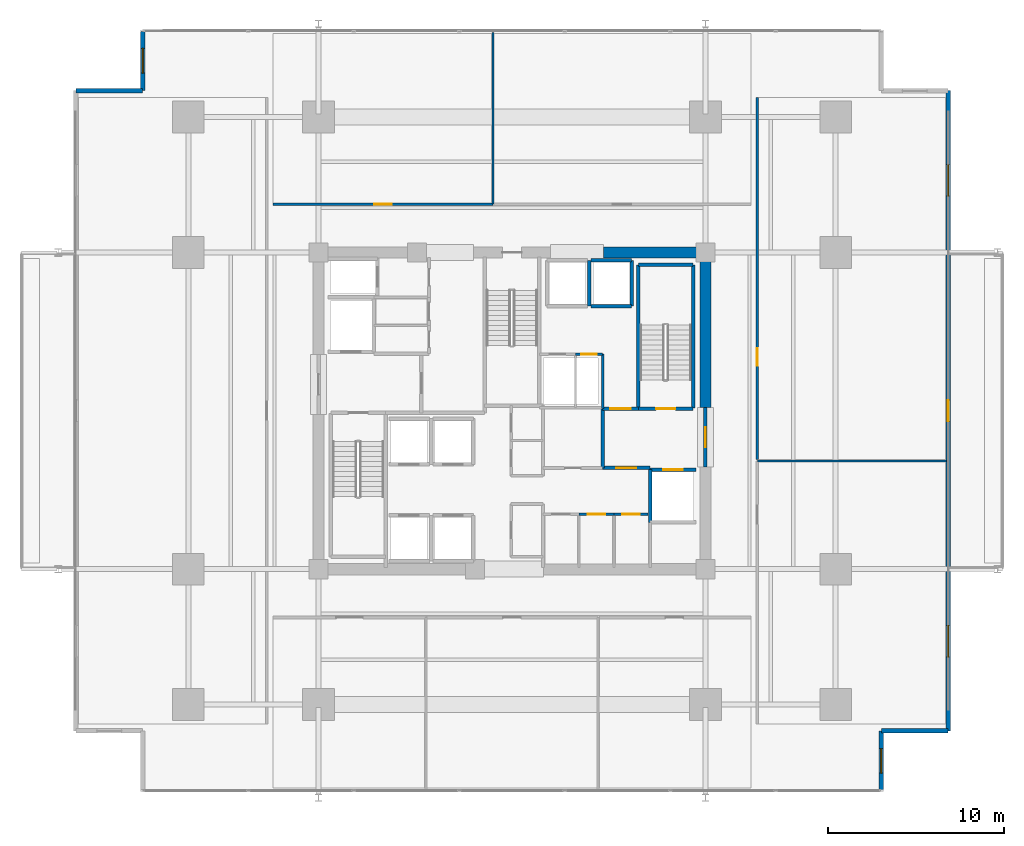
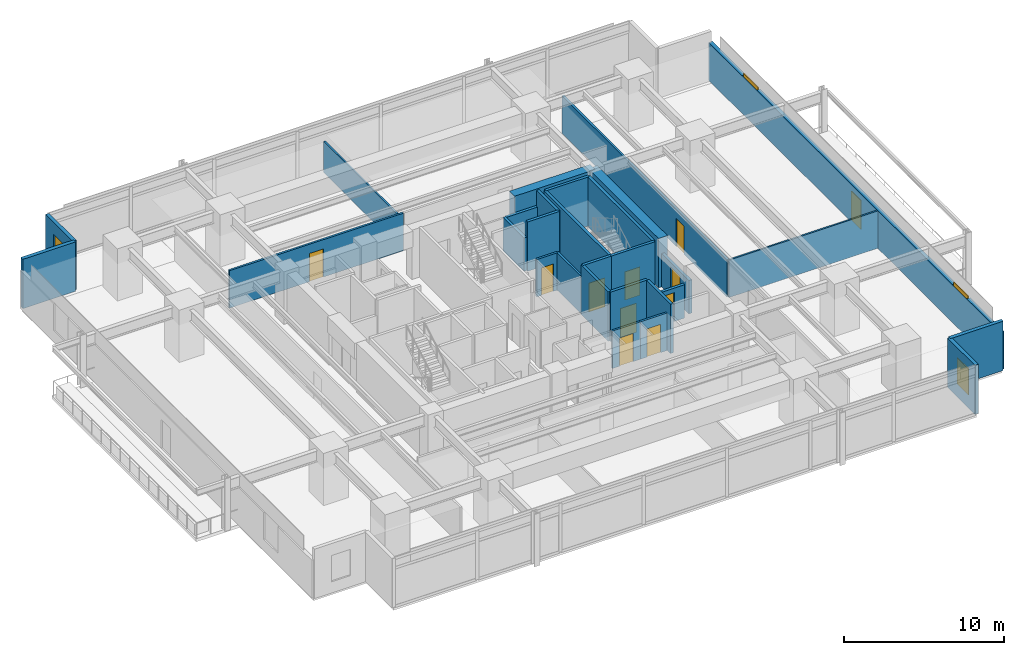
# One storey, part 16 of 21: 29 walls, 11 doors, 4 windows, 15 openings.
"""IFC4 building model written with IfcOpenShell, lengths in metres."""

from ifc_helpers import new_model, si_unit, direction, frame, frame_2d, origin, place, context, subcontext, project, spatial, rectangle, extrude, material, layer, layer_set, type_object, element, fill, save


model = new_model("IFC4")

# Units and contexts
model_context = context("Model", 3, precision=1e-05, world=origin(), true_north=direction((0.0, 1.0)))
body_context = subcontext(model_context, "Body", "Model", "MODEL_VIEW")
ifc_project = project(units=[si_unit("LENGTHUNIT", "METRE"), si_unit("AREAUNIT", "SQUARE_METRE"), si_unit("VOLUMEUNIT", "CUBIC_METRE"), si_unit("PLANEANGLEUNIT", "RADIAN"), si_unit("MASSUNIT", "GRAM", prefix="KILO")], contexts=[model_context])

# Site, building, storey
site_placement = place(None, origin())
site = spatial("IfcSite", under=ifc_project, at=site_placement, CompositionType="ELEMENT")
building_placement = place(site_placement, origin())
building = spatial("IfcBuilding", under=site, at=building_placement, Name="Kovane Verandah Tower", CompositionType="ELEMENT")
storey_placement = place(building_placement, frame((0.0, 0.0, 27.60009765625)))
storey = spatial("IfcBuildingStorey", under=building, at=storey_placement, Name="L05", CompositionType="ELEMENT", Elevation=27.60009765625)

# Wall, opening, door
ifc_material_1 = material(Name="Fire-Rated Gypsum Stud Partition", Category="gypsum")
ifc_layer_1 = layer(ifc_material_1, 0.14990234375)
ifc_layer_set_1 = layer_set([ifc_layer_1], Name="Fire-Rated Gypsum Stud Partition")
wall_type_1 = type_object("IfcWallType", Name="WL-COR-150", PredefinedType="PARTITIONING", material=ifc_layer_set_1)
wall_1_placement = place(storey_placement, frame((43.800048828125, 21.6201171875, 0.0), z_axis=(0.0, 0.0, 1.0), x_axis=(1.0, 0.0, 0.0)))
wall_1 = element("IfcWall", 1, at=wall_1_placement, inside=storey, type_object=wall_type_1, Name="L05 First Aid Room Partition", PredefinedType="PARTITIONING", context=body_context, shape_type="SweptSolid", body=[
    extrude(rectangle(XDim=2.0, YDim=0.14990234375, at=frame_2d((1.0, 0.0))), origin(), (0.0, 0.0, 1.0), 2.849853515625),
])
opening_1_placement = place(wall_1_placement, frame((0.5, 0.0, 0.0)))
opening_1 = element("IfcOpeningElement", 2, at=opening_1_placement, cuts=wall_1, Name="Opening DR-L05-016", PredefinedType="OPENING", context=body_context, shape_type="SweptSolid", body=[
    extrude(rectangle(XDim=1.0, YDim=2.14990234375, at=frame_2d((0.5, 1.074951171875))), frame((0.0, 0.074951171875, 0.0), z_axis=(0.0, -1.0, 0.0), x_axis=(1.0, 0.0, 0.0)), (0.0, 0.0, 1.0), 0.14990234375),
])
ifc_material_2 = material(Name="FSC Spotted-Gum Timber Fire-Rated Office Door", Category="wood")
door_type_1 = type_object("IfcDoorType", Name="DR-OFF-1000", OperationType="SINGLE_SWING_LEFT", PredefinedType="DOOR", material=ifc_material_2)
door_1_placement = place(opening_1_placement, origin())
door_1 = element("IfcDoor", 3, at=door_1_placement, inside=storey, type_object=door_type_1, Name="L05 First Aid Room Door", OperationType="SINGLE_SWING_RIGHT", OverallHeight=2.14990234375, OverallWidth=1.0, PredefinedType="DOOR", context=body_context, shape_type="SweptSolid", body=[
    extrude(rectangle(XDim=1.0, YDim=2.14990234375, at=frame_2d((0.5, 1.074951171875))), frame((0.0, 0.02490234375, 0.0), z_axis=(0.0, -1.0, 0.0), x_axis=(1.0, 0.0, 0.0)), (0.0, 0.0, 1.0), 0.050048828125),
])
fill(opening_1, door_1)

wall_2_placement = place(storey_placement, frame((45.800048828125, 21.6201171875, 0.0), z_axis=(0.0, 0.0, 1.0), x_axis=(1.0, 0.0, 0.0)))
wall_2 = element("IfcWall", 4, at=wall_2_placement, inside=storey, type_object=wall_type_1, Name="L05 Quiet Wellness Room Partition", PredefinedType="PARTITIONING", context=body_context, shape_type="SweptSolid", body=[
    extrude(rectangle(XDim=1.93994140625, YDim=0.14990234375, at=frame_2d((0.969970703125, 0.0))), origin(), (0.0, 0.0, 1.0), 2.849853515625),
])
opening_2_placement = place(wall_2_placement, frame((0.469970703125, 0.0, 0.0)))
opening_2 = element("IfcOpeningElement", 5, at=opening_2_placement, cuts=wall_2, Name="Opening DR-L05-017", PredefinedType="OPENING", context=body_context, shape_type="SweptSolid", body=[
    extrude(rectangle(XDim=1.0, YDim=2.14990234375, at=frame_2d((0.5, 1.074951171875))), frame((0.0, 0.074951171875, 0.0), z_axis=(0.0, -1.0, 0.0), x_axis=(1.0, 0.0, 0.0)), (0.0, 0.0, 1.0), 0.14990234375),
])
door_2_placement = place(opening_2_placement, origin())
door_2 = element("IfcDoor", 6, at=door_2_placement, inside=storey, type_object=door_type_1, Name="L05 Quiet Wellness Room Door", OperationType="SINGLE_SWING_LEFT", OverallHeight=2.14990234375, OverallWidth=1.0, PredefinedType="DOOR", context=body_context, shape_type="SweptSolid", body=[
    extrude(rectangle(XDim=1.0, YDim=2.14990234375, at=frame_2d((0.5, 1.074951171875))), frame((0.0, 0.02490234375, 0.0), z_axis=(0.0, -1.0, 0.0), x_axis=(1.0, 0.0, 0.0)), (0.0, 0.0, 1.0), 0.050048828125),
])
fill(opening_2, door_2)

# Wall
wall_3_placement = place(storey_placement, frame((45.14990234375, 27.6201171875, 0.0), z_axis=(0.0, 0.0, 1.0), x_axis=(0.0, 1.0, 0.0)))
element("IfcWall", 7, at=wall_3_placement, inside=storey, type_object=wall_type_1, Name="L05 East Core Service Riser East Wall", PredefinedType="PARTITIONING", context=body_context, shape_type="SweptSolid", body=[
    extrude(rectangle(XDim=3.099853515625, YDim=0.14990234375, at=frame_2d((1.5498046875, 0.0))), origin(), (0.0, 0.0, 1.0), 2.849853515625),
])

# Wall, opening, door
wall_4_placement = place(storey_placement, frame((43.60009765625, 30.719970703125, 0.0), z_axis=(0.0, 0.0, 1.0), x_axis=(1.0, 0.0, 0.0)))
wall_4 = element("IfcWall", 8, at=wall_4_placement, inside=storey, type_object=wall_type_1, Name="L05 Sprinkler Wet Riser Room Partition", PredefinedType="PARTITIONING", context=body_context, shape_type="SweptSolid", body=[
    extrude(rectangle(XDim=1.5498046875, YDim=0.14990234375, at=frame_2d((0.77490234375, 0.0))), origin(), (0.0, 0.0, 1.0), 2.849853515625),
])
opening_3_placement = place(wall_4_placement, frame((0.3349609375, 0.0, 0.0)))
opening_3 = element("IfcOpeningElement", 9, at=opening_3_placement, cuts=wall_4, Name="Opening DR-L05-020", PredefinedType="OPENING", context=body_context, shape_type="SweptSolid", body=[
    extrude(rectangle(XDim=0.8798828125, YDim=2.10009765625, at=frame_2d((0.43994140625, 1.050048828125))), frame((0.0, 0.074951171875, 0.0), z_axis=(0.0, -1.0, 0.0), x_axis=(1.0, 0.0, 0.0)), (0.0, 0.0, 1.0), 0.14990234375),
])
ifc_material_3 = material(Name="Fire-Rated Steel Riser Access Door", Category="steel")
door_type_2 = type_object("IfcDoorType", Name="DR-RISER-880", OperationType="SINGLE_SWING_LEFT", PredefinedType="DOOR", material=ifc_material_3)
door_3_placement = place(opening_3_placement, origin())
door_3 = element("IfcDoor", 10, at=door_3_placement, inside=storey, type_object=door_type_2, Name="L05 Sprinkler Wet Riser Room Door", OperationType="SINGLE_SWING_RIGHT", OverallHeight=2.10009765625, OverallWidth=0.8798828125, PredefinedType="DOOR", context=body_context, shape_type="SweptSolid", body=[
    extrude(rectangle(XDim=0.8798828125, YDim=2.10009765625, at=frame_2d((0.43994140625, 1.050048828125))), frame((0.0, 0.02490234375, 0.0), z_axis=(0.0, -1.0, 0.0), x_axis=(1.0, 0.0, 0.0)), (0.0, 0.0, 1.0), 0.050048828125),
])
fill(opening_3, door_3)

wall_5_placement = place(storey_placement, frame((26.39990234375, 39.25, 0.0), z_axis=(0.0, 0.0, 1.0), x_axis=(1.0, 0.0, 0.0)))
wall_5 = element("IfcWall", 11, at=wall_5_placement, inside=storey, type_object=wall_type_1, Name="L05 Open Plan Office N1 Corridor Partition", PredefinedType="PARTITIONING", context=body_context, shape_type="SweptSolid", body=[
    extrude(rectangle(XDim=12.51220703125, YDim=0.14990234375, at=frame_2d((6.256103515625, 0.0))), origin(), (0.0, 0.0, 1.0), 2.849853515625),
])
opening_4_placement = place(wall_5_placement, frame((5.77099609375, 0.0, 0.0)))
opening_4 = element("IfcOpeningElement", 12, at=opening_4_placement, cuts=wall_5, Name="Opening DR-L05-021", PredefinedType="OPENING", context=body_context, shape_type="SweptSolid", body=[
    extrude(rectangle(XDim=1.0, YDim=2.14990234375, at=frame_2d((0.5, 1.074951171875))), frame((0.0, 0.074951171875, 0.0), z_axis=(0.0, -1.0, 0.0), x_axis=(1.0, 0.0, 0.0)), (0.0, 0.0, 1.0), 0.14990234375),
])
door_4_placement = place(opening_4_placement, origin())
door_4 = element("IfcDoor", 13, at=door_4_placement, inside=storey, type_object=door_type_1, Name="L05 Open Plan Office N1 Entrance Door", OperationType="SINGLE_SWING_LEFT", OverallHeight=2.14990234375, OverallWidth=1.0, PredefinedType="DOOR", context=body_context, shape_type="SweptSolid", body=[
    extrude(rectangle(XDim=1.0, YDim=2.14990234375, at=frame_2d((0.5, 1.074951171875))), frame((0.0, 0.02490234375, 0.0), z_axis=(0.0, -1.0, 0.0), x_axis=(1.0, 0.0, 0.0)), (0.0, 0.0, 1.0), 0.050048828125),
])
fill(opening_4, door_4)

wall_6_placement = place(storey_placement, frame((53.949951171875, 24.721923828125, 0.0), z_axis=(0.0, 0.0, 1.0), x_axis=(0.0, 1.0, 0.0)))
wall_6 = element("IfcWall", 14, at=wall_6_placement, inside=storey, type_object=wall_type_1, Name="L05 Document and Print Room E2 Corridor Partition", PredefinedType="PARTITIONING", context=body_context, shape_type="SweptSolid", body=[
    extrude(rectangle(XDim=20.578125, YDim=0.14990234375, at=frame_2d((10.2890625, 0.0))), origin(), (0.0, 0.0, 1.0), 2.849853515625),
])
opening_5_placement = place(wall_6_placement, frame((5.339111328125, 0.0, 0.0)))
opening_5 = element("IfcOpeningElement", 15, at=opening_5_placement, cuts=wall_6, Name="Opening DR-L05-014", PredefinedType="OPENING", context=body_context, shape_type="SweptSolid", body=[
    extrude(rectangle(XDim=1.0, YDim=2.14990234375, at=frame_2d((0.5, 1.074951171875))), frame((0.0, 0.074951171875, 0.0), z_axis=(0.0, -1.0, 0.0), x_axis=(1.0, 0.0, 0.0)), (0.0, 0.0, 1.0), 0.14990234375),
])
door_5_placement = place(opening_5_placement, origin())
door_5 = element("IfcDoor", 16, at=door_5_placement, inside=storey, type_object=door_type_1, Name="L05 Document and Print Room E2 Entrance Door", OperationType="SINGLE_SWING_RIGHT", OverallHeight=2.14990234375, OverallWidth=1.0, PredefinedType="DOOR", context=body_context, shape_type="SweptSolid", body=[
    extrude(rectangle(XDim=1.0, YDim=2.14990234375, at=frame_2d((0.5, 1.074951171875))), frame((0.0, 0.02490234375, 0.0), z_axis=(0.0, -1.0, 0.0), x_axis=(1.0, 0.0, 0.0)), (0.0, 0.0, 1.0), 0.050048828125),
])
fill(opening_5, door_5)

# Walls
ifc_material_4 = material(Name="Concrete C80/95", Category="concrete")
ifc_layer_2 = layer(ifc_material_4, 0.64990234375)
ifc_layer_set_2 = layer_set([ifc_layer_2], Name="Concrete C80/95")
wall_type_2 = type_object("IfcWallType", Name="WL-CORE-650", PredefinedType="SHEAR", material=ifc_layer_set_2)
wall_7_placement = place(storey_placement, frame((45.199951171875, 36.5, 0.0), z_axis=(0.0, 0.0, 1.0), x_axis=(1.0, 0.0, 0.0)))
element("IfcWall", 17, at=wall_7_placement, inside=storey, type_object=wall_type_2, Name="L05 Core Shear Wall CN-3", PredefinedType="SHEAR", context=body_context, shape_type="SweptSolid", body=[
    extrude(rectangle(XDim=5.800048828125, YDim=0.64990234375, at=frame_2d((2.89990234375, 0.0))), origin(), (0.0, 0.0, 1.0), 3.760009765625),
])
wall_8_placement = place(storey_placement, frame((51.0, 27.699951171875, 0.0), z_axis=(0.0, 0.0, 1.0), x_axis=(0.0, 1.0, 0.0)))
element("IfcWall", 18, at=wall_8_placement, inside=storey, type_object=wall_type_2, Name="L05 Core Shear Wall CE-2", PredefinedType="SHEAR", context=body_context, shape_type="SweptSolid", body=[
    extrude(rectangle(XDim=8.800048828125, YDim=0.64990234375, at=frame_2d((4.39990234375, 0.0))), origin(), (0.0, 0.0, 1.0), 3.760009765625),
])
ifc_material_5 = material(Name="Concrete C45/55 Fire Wall", Category="concrete")
ifc_layer_3 = layer(ifc_material_5, 0.199951171875)
ifc_layer_set_3 = layer_set([ifc_layer_3], Name="Concrete C45/55 Fire Wall")
wall_type_3 = type_object("IfcWallType", Name="WL-FFL-200", PredefinedType="PARTITIONING", material=ifc_layer_set_3)
wall_9_placement = place(storey_placement, frame((45.14990234375, 24.25, 0.0), z_axis=(0.0, 0.0, 1.0), x_axis=(0.0, 1.0, 0.0)))
element("IfcWall", 19, at=wall_9_placement, inside=storey, type_object=wall_type_3, Name="L05 East Firefighting Lobby West Fire Wall", PredefinedType="PARTITIONING", context=body_context, shape_type="SweptSolid", body=[
    extrude(rectangle(XDim=3.3701171875, YDim=0.199951171875, at=frame_2d((1.68505859375, 0.0))), origin(), (0.0, 0.0, 1.0), 3.760009765625),
])

# Wall, opening, door
wall_10_placement = place(storey_placement, frame((45.14990234375, 24.25, 0.0), z_axis=(0.0, 0.0, 1.0), x_axis=(1.0, 0.0, 0.0)))
wall_10 = element("IfcWall", 20, at=wall_10_placement, inside=storey, type_object=wall_type_3, Name="W-L05-FFLE-S", PredefinedType="PARTITIONING", context=body_context, shape_type="SweptSolid", body=[
    extrude(rectangle(XDim=2.7001953125, YDim=0.199951171875, at=frame_2d((1.35009765625, 0.0))), origin(), (0.0, 0.0, 1.0), 3.760009765625),
])
opening_6_placement = place(wall_10_placement, frame((0.77490234375, 0.0, 0.0)))
opening_6 = element("IfcOpeningElement", 21, at=opening_6_placement, cuts=wall_10, Name="Opening DR-L05-003", PredefinedType="OPENING", context=body_context, shape_type="SweptSolid", body=[
    extrude(rectangle(XDim=1.14990234375, YDim=2.199951171875, at=frame_2d((0.574951171875, 1.10009765625))), frame((0.0, 0.10009765625, 0.0), z_axis=(0.0, -1.0, 0.0), x_axis=(1.0, 0.0, 0.0)), (0.0, 0.0, 1.0), 0.199951171875),
])
ifc_material_6 = material(Name="Smoke-Sealed Firefighting Lobby Door", Category="steel")
door_type_3 = type_object("IfcDoorType", Name="DR-FFL-1150", OperationType="SINGLE_SWING_LEFT", PredefinedType="DOOR", material=ifc_material_6)
door_6_placement = place(opening_6_placement, origin())
door_6 = element("IfcDoor", 22, at=door_6_placement, inside=storey, type_object=door_type_3, Name="L05 East Firefighting Lobby Inner Door", OperationType="SINGLE_SWING_RIGHT", OverallHeight=2.199951171875, OverallWidth=1.14990234375, PredefinedType="DOOR", context=body_context, shape_type="SweptSolid", body=[
    extrude(rectangle(XDim=1.14990234375, YDim=2.199951171875, at=frame_2d((0.574951171875, 1.10009765625))), frame((0.0, 0.02490234375, 0.0), z_axis=(0.0, -1.0, 0.0), x_axis=(1.0, 0.0, 0.0)), (0.0, 0.0, 1.0), 0.050048828125),
])
fill(opening_6, door_6)

wall_11_placement = place(storey_placement, frame((45.14990234375, 27.6201171875, 0.0), z_axis=(0.0, 0.0, 1.0), x_axis=(1.0, 0.0, 0.0)))
wall_11 = element("IfcWall", 23, at=wall_11_placement, inside=storey, type_object=wall_type_3, Name="W-L05-FFLE-N", PredefinedType="PARTITIONING", context=body_context, shape_type="SweptSolid", body=[
    extrude(rectangle(XDim=2.030029296875, YDim=0.199951171875, at=frame_2d((1.01513671875, 0.0))), origin(), (0.0, 0.0, 1.0), 3.760009765625),
])
opening_7_placement = place(wall_11_placement, frame((0.43994140625, 0.0, 0.0)))
opening_7 = element("IfcOpeningElement", 24, at=opening_7_placement, cuts=wall_11, Name="Opening DR-L05-004", PredefinedType="OPENING", context=body_context, shape_type="SweptSolid", body=[
    extrude(rectangle(XDim=1.14990234375, YDim=2.199951171875, at=frame_2d((0.574951171875, 1.10009765625))), frame((0.0, 0.10009765625, 0.0), z_axis=(0.0, -1.0, 0.0), x_axis=(1.0, 0.0, 0.0)), (0.0, 0.0, 1.0), 0.199951171875),
])
door_7_placement = place(opening_7_placement, origin())
door_7 = element("IfcDoor", 25, at=door_7_placement, inside=storey, type_object=door_type_3, Name="L05 East Firefighting Lobby Shuttle Link Door", OperationType="SINGLE_SWING_LEFT", OverallHeight=2.199951171875, OverallWidth=1.14990234375, PredefinedType="DOOR", context=body_context, shape_type="SweptSolid", body=[
    extrude(rectangle(XDim=1.14990234375, YDim=2.199951171875, at=frame_2d((0.574951171875, 1.10009765625))), frame((0.0, 0.02490234375, 0.0), z_axis=(0.0, -1.0, 0.0), x_axis=(1.0, 0.0, 0.0)), (0.0, 0.0, 1.0), 0.050048828125),
])
fill(opening_7, door_7)

wall_12_placement = place(storey_placement, frame((51.0, 24.300048828125, 0.0), z_axis=(0.0, 0.0, 1.0), x_axis=(0.0, 1.0, 0.0)))
wall_12 = element("IfcWall", 26, at=wall_12_placement, inside=storey, type_object=wall_type_3, Name="W-L05-FFLE-OUT", PredefinedType="PARTITIONING", context=body_context, shape_type="SweptSolid", body=[
    extrude(rectangle(XDim=3.39990234375, YDim=0.199951171875, at=frame_2d((1.699951171875, 0.0))), origin(), (0.0, 0.0, 1.0), 2.539794921875),
])
opening_8_placement = place(wall_12_placement, frame((1.125, 0.0, 0.0)))
opening_8 = element("IfcOpeningElement", 27, at=opening_8_placement, cuts=wall_12, Name="Opening DR-L05-005", PredefinedType="OPENING", context=body_context, shape_type="SweptSolid", body=[
    extrude(rectangle(XDim=1.14990234375, YDim=2.199951171875, at=frame_2d((0.574951171875, 1.10009765625))), frame((0.0, 0.10009765625, 0.0), z_axis=(0.0, -1.0, 0.0), x_axis=(1.0, 0.0, 0.0)), (0.0, 0.0, 1.0), 0.199951171875),
])
door_8_placement = place(opening_8_placement, origin())
door_8 = element("IfcDoor", 28, at=door_8_placement, inside=storey, type_object=door_type_3, Name="L05 East Firefighting Lobby Corridor Door", OperationType="SINGLE_SWING_LEFT", OverallHeight=2.199951171875, OverallWidth=1.14990234375, PredefinedType="DOOR", context=body_context, shape_type="SweptSolid", body=[
    extrude(rectangle(XDim=1.14990234375, YDim=2.199951171875, at=frame_2d((0.574951171875, 1.10009765625))), frame((0.0, 0.02490234375, 0.0), z_axis=(0.0, -1.0, 0.0), x_axis=(1.0, 0.0, 0.0)), (0.0, 0.0, 1.0), 0.050048828125),
])
fill(opening_8, door_8)

ifc_material_7 = material(Name="Concrete C45/55 Lift Shaft Wall", Category="concrete")
ifc_layer_4 = layer(ifc_material_7, 0.199951171875)
ifc_layer_set_4 = layer_set([ifc_layer_4], Name="Concrete C45/55 Lift Shaft Wall")
wall_type_4 = type_object("IfcWallType", Name="WL-LIFT-200", PredefinedType="SOLIDWALL", material=ifc_layer_set_4)
wall_13_placement = place(storey_placement, frame((50.449951171875, 24.14990234375, 0.0), z_axis=(0.0, 0.0, 1.0), x_axis=(-1.0, 0.0, 0.0)))
wall_13 = element("IfcWall", 29, at=wall_13_placement, inside=storey, type_object=wall_type_4, Name="L05 Lift FL-02 N Shaft Wall", PredefinedType="SOLIDWALL", context=body_context, shape_type="SweptSolid", body=[
    extrude(rectangle(XDim=2.599853515625, YDim=0.199951171875, at=frame_2d((1.2998046875, 0.0))), origin(), (0.0, 0.0, 1.0), 2.539794921875),
])
opening_9_placement = place(wall_13_placement, frame((0.75, 0.0, 0.0)))
opening_9 = element("IfcOpeningElement", 30, at=opening_9_placement, cuts=wall_13, Name="Opening LD-L05-002", PredefinedType="OPENING", context=body_context, shape_type="SweptSolid", body=[
    extrude(rectangle(XDim=1.10009765625, YDim=2.199951171875, at=frame_2d((0.550048828125, 1.10009765625))), frame((0.0, 0.10009765625, 0.0), z_axis=(0.0, -1.0, 0.0), x_axis=(1.0, 0.0, 0.0)), (0.0, 0.0, 1.0), 0.199951171875),
])
ifc_material_8 = material(Name="Brushed Stainless Steel Sliding Lift Landing Door", Category="steel")
door_type_4 = type_object("IfcDoorType", Name="DR-LIFT-1100", OperationType="SLIDING_TO_RIGHT", PredefinedType="DOOR", material=ifc_material_8)
door_9_placement = place(opening_9_placement, origin())
door_9 = element("IfcDoor", 31, at=door_9_placement, inside=storey, type_object=door_type_4, Name="L05 Lift FL-02 Sliding Landing Door", OperationType="SLIDING_TO_RIGHT", OverallHeight=2.199951171875, OverallWidth=1.10009765625, PredefinedType="DOOR", context=body_context, shape_type="SweptSolid", body=[
    extrude(rectangle(XDim=1.10009765625, YDim=2.199951171875, at=frame_2d((0.550048828125, 1.10009765625))), frame((0.0, 0.02490234375, 0.0), z_axis=(0.0, -1.0, 0.0), x_axis=(1.0, 0.0, 0.0)), (0.0, 0.0, 1.0), 0.050048828125),
])
fill(opening_9, door_9)

# Walls
wall_14_placement = place(storey_placement, frame((47.85009765625, 24.14990234375, 0.0), z_axis=(0.0, 0.0, 1.0), x_axis=(0.0, -1.0, 0.0)))
element("IfcWall", 32, at=wall_14_placement, inside=storey, type_object=wall_type_4, Name="L05 Lift FL-02 W Shaft Wall", PredefinedType="SOLIDWALL", context=body_context, shape_type="SweptSolid", body=[
    extrude(rectangle(XDim=3.0, YDim=0.199951171875, at=frame_2d((1.5, 0.0))), origin(), (0.0, 0.0, 1.0), 3.760009765625),
])
wall_15_placement = place(storey_placement, frame((44.39990234375, 33.449951171875, 0.0), z_axis=(0.0, 0.0, 1.0), x_axis=(0.0, 1.0, 0.0)))
element("IfcWall", 33, at=wall_15_placement, inside=storey, type_object=wall_type_4, Name="L05 Lift OL-01 and SL-01 Shared Shaft Wall", PredefinedType="SOLIDWALL", context=body_context, shape_type="SweptSolid", body=[
    extrude(rectangle(XDim=2.60009765625, YDim=0.199951171875, at=frame_2d((1.300048828125, 0.0))), origin(), (0.0, 0.0, 1.0), 2.539794921875),
])
wall_16_placement = place(storey_placement, frame((44.5, 33.449951171875, 0.0), z_axis=(0.0, 0.0, 1.0), x_axis=(1.0, 0.0, 0.0)))
element("IfcWall", 34, at=wall_16_placement, inside=storey, type_object=wall_type_4, Name="L05 Lift OL-01 S Shaft Wall", PredefinedType="SOLIDWALL", context=body_context, shape_type="SweptSolid", body=[
    extrude(rectangle(XDim=2.300048828125, YDim=0.199951171875, at=frame_2d((1.14990234375, 0.0))), origin(), (0.0, 0.0, 1.0), 3.760009765625),
])
wall_17_placement = place(storey_placement, frame((46.800048828125, 36.050048828125, 0.0), z_axis=(0.0, 0.0, 1.0), x_axis=(-1.0, 0.0, 0.0)))
element("IfcWall", 35, at=wall_17_placement, inside=storey, type_object=wall_type_4, Name="L05 Lift OL-01 N Shaft Wall", PredefinedType="SOLIDWALL", context=body_context, shape_type="SweptSolid", body=[
    extrude(rectangle(XDim=2.300048828125, YDim=0.199951171875, at=frame_2d((1.14990234375, 0.0))), origin(), (0.0, 0.0, 1.0), 2.539794921875),
])
wall_18_placement = place(storey_placement, frame((46.800048828125, 33.449951171875, 0.0), z_axis=(0.0, 0.0, 1.0), x_axis=(0.0, 1.0, 0.0)))
element("IfcWall", 36, at=wall_18_placement, inside=storey, type_object=wall_type_4, Name="L05 Lift OL-01 E Shaft Wall", PredefinedType="SOLIDWALL", context=body_context, shape_type="SweptSolid", body=[
    extrude(rectangle(XDim=2.60009765625, YDim=0.199951171875, at=frame_2d((1.300048828125, 0.0))), origin(), (0.0, 0.0, 1.0), 3.760009765625),
])
ifc_material_9 = material(Name="Acoustic Fire-Rated Gypsum Partition", Category="gypsum")
ifc_layer_5 = layer(ifc_material_9, 0.1201171875)
ifc_layer_set_5 = layer_set([ifc_layer_5], Name="Acoustic Fire-Rated Gypsum Partition")
wall_type_5 = type_object("IfcWallType", Name="WL-PART-120", PredefinedType="PARTITIONING", material=ifc_layer_set_5)
wall_19_placement = place(storey_placement, frame((38.912109375, 39.25, 0.0), z_axis=(0.0, 0.0, 1.0), x_axis=(0.0, 1.0, 0.0)))
element("IfcWall", 37, at=wall_19_placement, inside=storey, type_object=wall_type_5, Name="L05 Open Plan Office N1 Dividing Partition", PredefinedType="PARTITIONING", context=body_context, shape_type="SweptSolid", body=[
    extrude(rectangle(XDim=9.75, YDim=0.1201171875, at=frame_2d((4.875, 0.0))), origin(), (0.0, 0.0, 1.0), 2.389892578125),
])
wall_20_placement = place(storey_placement, frame((53.949951171875, 24.652099609375, 0.0), z_axis=(0.0, 0.0, 1.0), x_axis=(1.0, 0.0, 0.0)))
element("IfcWall", 38, at=wall_20_placement, inside=storey, type_object=wall_type_5, Name="L05 Collaboration Hub E1 Dividing Partition", PredefinedType="PARTITIONING", context=body_context, shape_type="SweptSolid", body=[
    extrude(rectangle(XDim=10.75, YDim=0.1201171875, at=frame_2d((5.375, 0.0))), origin(), (0.0, 0.0, 1.0), 2.849853515625),
])
ifc_material_10 = material(Name="Concrete C45/55", Category="concrete")
ifc_layer_6 = layer(ifc_material_10, 0.199951171875)
ifc_layer_set_6 = layer_set([ifc_layer_6], Name="Concrete C45/55")
wall_type_6 = type_object("IfcWallType", Name="WL-SHAFT-200", PredefinedType="SOLIDWALL", material=ifc_layer_set_6)
wall_21_placement = place(storey_placement, frame((50.300048828125, 27.64990234375, 0.0), z_axis=(0.0, 0.0, 1.0), x_axis=(0.0, 1.0, 0.0)))
element("IfcWall", 39, at=wall_21_placement, inside=storey, type_object=wall_type_6, Name="W-L05-ST02-E", PredefinedType="SOLIDWALL", context=body_context, shape_type="SweptSolid", body=[
    extrude(rectangle(XDim=8.150146484375, YDim=0.199951171875, at=frame_2d((4.0751953125, 0.0))), origin(), (0.0, 0.0, 1.0), 3.760009765625),
])
wall_22_placement = place(storey_placement, frame((47.179931640625, 35.800048828125, 0.0), z_axis=(0.0, 0.0, 1.0), x_axis=(1.0, 0.0, 0.0)))
element("IfcWall", 40, at=wall_22_placement, inside=storey, type_object=wall_type_6, Name="W-L05-ST02-N", PredefinedType="SOLIDWALL", context=body_context, shape_type="SweptSolid", body=[
    extrude(rectangle(XDim=3.1201171875, YDim=0.199951171875, at=frame_2d((1.56005859375, 0.0))), origin(), (0.0, 0.0, 1.0), 3.760009765625),
])
wall_23_placement = place(storey_placement, frame((47.179931640625, 27.6201171875, 0.0), z_axis=(0.0, 0.0, 1.0), x_axis=(0.0, 1.0, 0.0)))
element("IfcWall", 41, at=wall_23_placement, inside=storey, type_object=wall_type_6, Name="W-L05-ST02-W", PredefinedType="SOLIDWALL", context=body_context, shape_type="SweptSolid", body=[
    extrude(rectangle(XDim=8.179931640625, YDim=0.199951171875, at=frame_2d((4.08984375, 0.0))), origin(), (0.0, 0.0, 1.0), 3.760009765625),
])

# Wall, opening, door
wall_24_placement = place(storey_placement, frame((47.179931640625, 27.6201171875, 0.0), z_axis=(0.0, 0.0, 1.0), x_axis=(1.0, 0.0, 0.0)))
wall_24 = element("IfcWall", 42, at=wall_24_placement, inside=storey, type_object=wall_type_6, Name="W-L05-ST02-S", PredefinedType="SOLIDWALL", context=body_context, shape_type="SweptSolid", body=[
    extrude(rectangle(XDim=3.1201171875, YDim=0.199951171875, at=frame_2d((1.56005859375, 0.0))), origin(), (0.0, 0.0, 1.0), 3.760009765625),
])
opening_10_placement = place(wall_24_placement, frame((1.010009765625, 0.0, 0.0)))
opening_10 = element("IfcOpeningElement", 43, at=opening_10_placement, cuts=wall_24, Name="Opening DR-L05-010", PredefinedType="OPENING", context=body_context, shape_type="SweptSolid", body=[
    extrude(rectangle(XDim=1.10009765625, YDim=2.14990234375, at=frame_2d((0.550048828125, 1.074951171875))), frame((0.0, 0.10009765625, 0.0), z_axis=(0.0, -1.0, 0.0), x_axis=(1.0, 0.0, 0.0)), (0.0, 0.0, 1.0), 0.199951171875),
])
ifc_material_11 = material(Name="Fire-Rated Steel Exit Door", Category="steel")
door_type_5 = type_object("IfcDoorType", Name="DR-STAIR-1100", OperationType="SINGLE_SWING_LEFT", PredefinedType="DOOR", material=ifc_material_11)
door_10_placement = place(opening_10_placement, origin())
door_10 = element("IfcDoor", 44, at=door_10_placement, inside=storey, type_object=door_type_5, Name="L05 ST-02 Fire Exit Stair Door", OperationType="SINGLE_SWING_LEFT", OverallHeight=2.14990234375, OverallWidth=1.10009765625, PredefinedType="DOOR", context=body_context, shape_type="SweptSolid", body=[
    extrude(rectangle(XDim=1.10009765625, YDim=2.14990234375, at=frame_2d((0.550048828125, 1.074951171875))), frame((0.0, 0.02490234375, 0.0), z_axis=(0.0, -1.0, 0.0), x_axis=(1.0, 0.0, 0.0)), (0.0, 0.0, 1.0), 0.050048828125),
])
fill(opening_10, door_10)

# Wall, openings, door, windows
ifc_material_12 = material(Name="Concrete C45/55 Insulated Spandrel Wall", Category="concrete")
ifc_layer_7 = layer(ifc_material_12, 0.260009765625)
ifc_layer_set_7 = layer_set([ifc_layer_7], Name="Concrete C45/55 Insulated Spandrel Wall")
wall_type_7 = type_object("IfcWallType", Name="WL-SPANDREL-260", PredefinedType="PARAPET", material=ifc_layer_set_7)
wall_25_placement = place(storey_placement, frame((64.800048828125, 9.300048828125, 0.0), z_axis=(0.0, 0.0, 1.0), x_axis=(0.0, 1.0, 0.0)))
wall_25 = element("IfcWall", 45, at=wall_25_placement, inside=storey, type_object=wall_type_7, Name="L05 E Verandah Access Facade Wall", PredefinedType="PARAPET", context=body_context, shape_type="SweptSolid", body=[
    extrude(rectangle(XDim=36.39990234375, YDim=0.260009765625, at=frame_2d((18.199951171875, 0.0))), origin(), (0.0, 0.0, 1.0), 2.888916015625),
])
opening_11_placement = place(wall_25_placement, frame((4.199951171875, 0.0, 0.85009765625)))
opening_11 = element("IfcOpeningElement", 46, at=opening_11_placement, cuts=wall_25, Name="Opening W-03", PredefinedType="OPENING", context=body_context, shape_type="SweptSolid", body=[
    extrude(rectangle(XDim=1.800048828125, YDim=2.199951171875, at=frame_2d((0.89990234375, 1.10009765625))), frame((0.0, 0.1298828125, 0.0), z_axis=(0.0, -1.0, 0.0), x_axis=(1.0, 0.0, 0.0)), (0.0, 0.0, 1.0), 0.260009765625),
])
opening_12_placement = place(wall_25_placement, frame((17.60009765625, 0.0, 0.0)))
opening_12 = element("IfcOpeningElement", 47, at=opening_12_placement, cuts=wall_25, Name="Opening DR-L05-001", PredefinedType="OPENING", context=body_context, shape_type="SweptSolid", body=[
    extrude(rectangle(XDim=1.199951171875, YDim=2.199951171875, at=frame_2d((0.60009765625, 1.10009765625))), frame((0.0, 0.1298828125, 0.0), z_axis=(0.0, -1.0, 0.0), x_axis=(1.0, 0.0, 0.0)), (0.0, 0.0, 1.0), 0.260009765625),
])
opening_13_placement = place(wall_25_placement, frame((30.39990234375, 0.0, 0.85009765625)))
opening_13 = element("IfcOpeningElement", 48, at=opening_13_placement, cuts=wall_25, Name="Opening W-03", PredefinedType="OPENING", context=body_context, shape_type="SweptSolid", body=[
    extrude(rectangle(XDim=1.800048828125, YDim=2.199951171875, at=frame_2d((0.89990234375, 1.10009765625))), frame((0.0, 0.1298828125, 0.0), z_axis=(0.0, -1.0, 0.0), x_axis=(1.0, 0.0, 0.0)), (0.0, 0.0, 1.0), 0.260009765625),
])
ifc_material_13 = material(Name="Cyclone-Rated Glazed Balcony Leaf Door", Category="aluminium")
door_type_6 = type_object("IfcDoorType", Name="DR-BAL-1200x2200", OperationType="SINGLE_SWING_LEFT", PredefinedType="DOOR", material=ifc_material_13)
door_11_placement = place(opening_12_placement, origin())
door_11 = element("IfcDoor", 49, at=door_11_placement, inside=storey, type_object=door_type_6, Name="L05 E Planted Balcony Access Door", OperationType="SINGLE_SWING_LEFT", OverallHeight=2.199951171875, OverallWidth=1.199951171875, PredefinedType="DOOR", context=body_context, shape_type="SweptSolid", body=[
    extrude(rectangle(XDim=1.199951171875, YDim=2.199951171875, at=frame_2d((0.60009765625, 1.10009765625))), frame((0.0, 0.02490234375, 0.0), z_axis=(0.0, -1.0, 0.0), x_axis=(1.0, 0.0, 0.0)), (0.0, 0.0, 1.0), 0.050048828125),
])
fill(opening_12, door_11)
ifc_material_14 = material(Name="Clear Low-E Laminated Double Glazing in Anodised Frame", Category="glass")
window_type_1 = type_object("IfcWindowType", Name="WN-NOTCH-1800x2200", PartitioningType="SINGLE_PANEL", PredefinedType="WINDOW", material=ifc_material_14)
window_1_placement = place(opening_11_placement, origin())
window_1 = element("IfcWindow", 50, at=window_1_placement, inside=storey, type_object=window_type_1, Name="L05 E Verandah View Window 1", OverallHeight=2.199951171875, OverallWidth=1.800048828125, PartitioningType="SINGLE_PANEL", PredefinedType="WINDOW", context=body_context, shape_type="SweptSolid", body=[
    extrude(rectangle(XDim=1.800048828125, YDim=2.199951171875, at=frame_2d((0.89990234375, 1.10009765625))), frame((0.0, 0.030029296875, 0.0), z_axis=(0.0, -1.0, 0.0), x_axis=(1.0, 0.0, 0.0)), (0.0, 0.0, 1.0), 0.06005859375),
])
fill(opening_11, window_1)
window_2_placement = place(opening_13_placement, origin())
window_2 = element("IfcWindow", 51, at=window_2_placement, inside=storey, type_object=window_type_1, Name="L05 E Verandah View Window 2", OverallHeight=2.199951171875, OverallWidth=1.800048828125, PartitioningType="SINGLE_PANEL", PredefinedType="WINDOW", context=body_context, shape_type="SweptSolid", body=[
    extrude(rectangle(XDim=1.800048828125, YDim=2.199951171875, at=frame_2d((0.89990234375, 1.10009765625))), frame((0.0, 0.030029296875, 0.0), z_axis=(0.0, -1.0, 0.0), x_axis=(1.0, 0.0, 0.0)), (0.0, 0.0, 1.0), 0.06005859375),
])
fill(opening_13, window_2)

# Wall, opening, window
wall_26_placement = place(storey_placement, frame((61.0, 5.89990234375, 0.0), z_axis=(0.0, 0.0, 1.0), x_axis=(0.0, 1.0, 0.0)))
wall_26 = element("IfcWall", 52, at=wall_26_placement, inside=storey, type_object=wall_type_7, Name="L05 SE Notch Cheek Wall 1", PredefinedType="PARAPET", context=body_context, shape_type="SweptSolid", body=[
    extrude(rectangle(XDim=3.400146484375, YDim=0.260009765625, at=frame_2d((1.7001953125, 0.0))), origin(), (0.0, 0.0, 1.0), 3.760009765625),
])
opening_14_placement = place(wall_26_placement, frame((1.0, 0.0, 0.85009765625)))
opening_14 = element("IfcOpeningElement", 53, at=opening_14_placement, cuts=wall_26, Name="Opening W-01", PredefinedType="OPENING", context=body_context, shape_type="SweptSolid", body=[
    extrude(rectangle(XDim=1.39990234375, YDim=2.0, at=frame_2d((0.699951171875, 1.0))), frame((0.0, 0.1298828125, 0.0), z_axis=(0.0, -1.0, 0.0), x_axis=(1.0, 0.0, 0.0)), (0.0, 0.0, 1.0), 0.260009765625),
])
window_type_2 = type_object("IfcWindowType", Name="WN-OPER-1400x2000", PartitioningType="SINGLE_PANEL", PredefinedType="WINDOW", material=ifc_material_14)
window_3_placement = place(opening_14_placement, origin())
window_3 = element("IfcWindow", 54, at=window_3_placement, inside=storey, type_object=window_type_2, Name="L05 SE Re-Entrant Corner Operable Window", OverallHeight=2.0, OverallWidth=1.39990234375, PartitioningType="SINGLE_PANEL", PredefinedType="WINDOW", context=body_context, shape_type="SweptSolid", body=[
    extrude(rectangle(XDim=1.39990234375, YDim=2.0, at=frame_2d((0.699951171875, 1.0))), frame((0.0, 0.030029296875, 0.0), z_axis=(0.0, -1.0, 0.0), x_axis=(1.0, 0.0, 0.0)), (0.0, 0.0, 1.0), 0.06005859375),
])
fill(opening_14, window_3)

# Wall
wall_27_placement = place(storey_placement, frame((61.0, 9.300048828125, 0.0), z_axis=(0.0, 0.0, 1.0), x_axis=(1.0, 0.0, 0.0)))
element("IfcWall", 55, at=wall_27_placement, inside=storey, type_object=wall_type_7, Name="L05 SE Notch Cheek Wall 2", PredefinedType="PARAPET", context=body_context, shape_type="SweptSolid", body=[
    extrude(rectangle(XDim=3.800048828125, YDim=0.260009765625, at=frame_2d((1.89990234375, 0.0))), origin(), (0.0, 0.0, 1.0), 3.760009765625),
])

# Wall, opening, window
wall_28_placement = place(storey_placement, frame((19.0, 49.10009765625, 0.0), z_axis=(0.0, 0.0, 1.0), x_axis=(0.0, -1.0, 0.0)))
wall_28 = element("IfcWall", 56, at=wall_28_placement, inside=storey, type_object=wall_type_7, Name="L05 NW Notch Cheek Wall 1", PredefinedType="PARAPET", context=body_context, shape_type="SweptSolid", body=[
    extrude(rectangle(XDim=3.400146484375, YDim=0.260009765625, at=frame_2d((1.7001953125, 0.0))), origin(), (0.0, 0.0, 1.0), 3.760009765625),
])
opening_15_placement = place(wall_28_placement, frame((1.0, 0.0, 0.85009765625)))
opening_15 = element("IfcOpeningElement", 57, at=opening_15_placement, cuts=wall_28, Name="Opening W-01", PredefinedType="OPENING", context=body_context, shape_type="SweptSolid", body=[
    extrude(rectangle(XDim=1.39990234375, YDim=2.0, at=frame_2d((0.699951171875, 1.0))), frame((0.0, 0.1298828125, 0.0), z_axis=(0.0, -1.0, 0.0), x_axis=(1.0, 0.0, 0.0)), (0.0, 0.0, 1.0), 0.260009765625),
])
window_4_placement = place(opening_15_placement, origin())
window_4 = element("IfcWindow", 58, at=window_4_placement, inside=storey, type_object=window_type_2, Name="L05 NW Re-Entrant Corner Operable Window", OverallHeight=2.0, OverallWidth=1.39990234375, PartitioningType="SINGLE_PANEL", PredefinedType="WINDOW", context=body_context, shape_type="SweptSolid", body=[
    extrude(rectangle(XDim=1.39990234375, YDim=2.0, at=frame_2d((0.699951171875, 1.0))), frame((0.0, 0.030029296875, 0.0), z_axis=(0.0, -1.0, 0.0), x_axis=(1.0, 0.0, 0.0)), (0.0, 0.0, 1.0), 0.06005859375),
])
fill(opening_15, window_4)

# Wall
wall_29_placement = place(storey_placement, frame((19.0, 45.699951171875, 0.0), z_axis=(0.0, 0.0, 1.0), x_axis=(-1.0, 0.0, 0.0)))
element("IfcWall", 59, at=wall_29_placement, inside=storey, type_object=wall_type_7, Name="L05 NW Notch Cheek Wall 2", PredefinedType="PARAPET", context=body_context, shape_type="SweptSolid", body=[
    extrude(rectangle(XDim=3.800048828125, YDim=0.260009765625, at=frame_2d((1.89990234375, 0.0))), origin(), (0.0, 0.0, 1.0), 3.760009765625),
])

save(model, "model.ifc")
